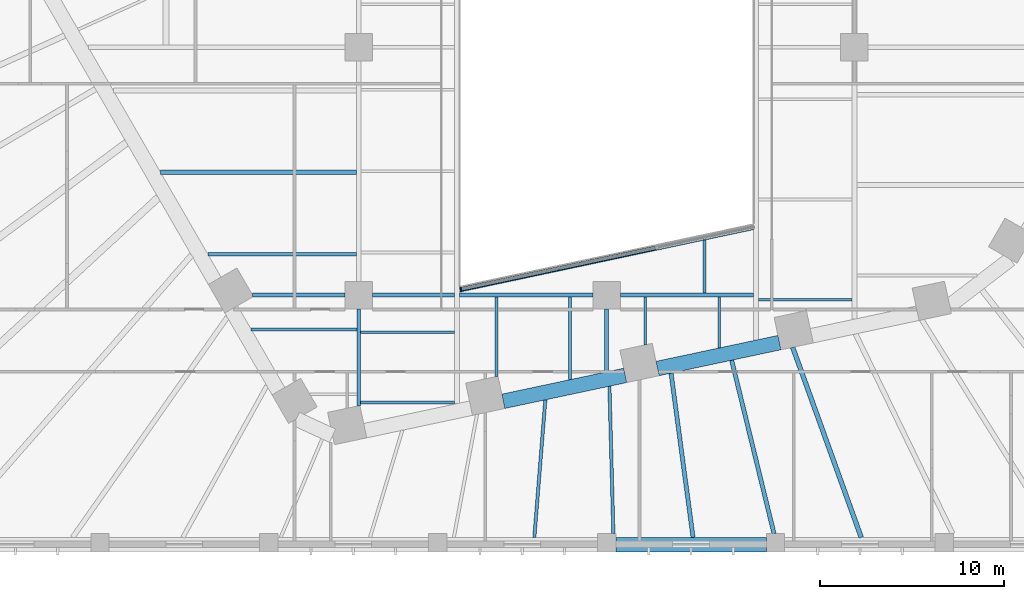
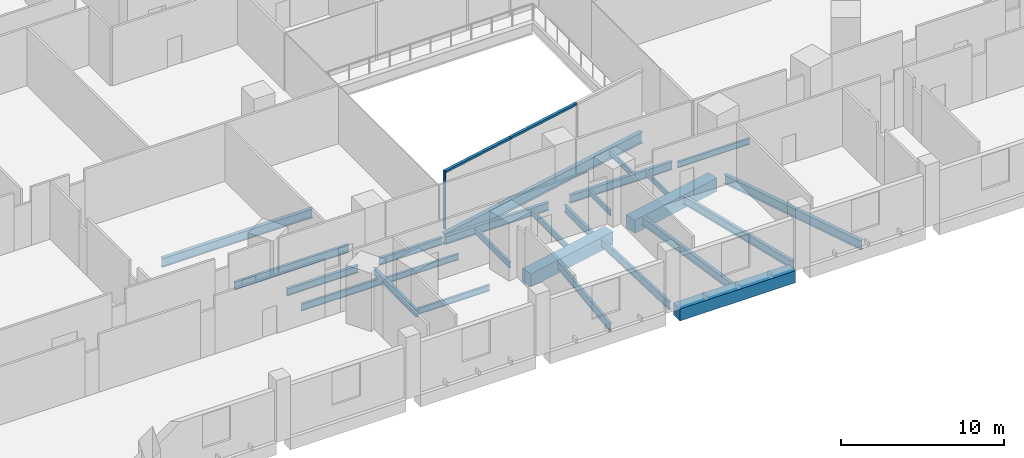
# One storey, part 2 of 33: 26 beams, 3 members, 1 element without a shape of its own.
"""IFC4 building model written with IfcOpenShell, lengths in metres."""

from ifc_helpers import new_model, si_unit, direction, frame, origin, origin_2d, place, context, subcontext, project, spatial, rectangle, i_section, extrude, material, layer, layer_set, material_profile, profile_set, type_object, element, aggregate, save


model = new_model("IFC4")

# Units and contexts
model_context = context("Model", 3, precision=1e-05, world=origin(), true_north=direction((0.0, 1.0)))
body_context = subcontext(model_context, "Body", "Model", "MODEL_VIEW")
ifc_project = project(units=[si_unit("LENGTHUNIT", "METRE"), si_unit("AREAUNIT", "SQUARE_METRE"), si_unit("VOLUMEUNIT", "CUBIC_METRE"), si_unit("PLANEANGLEUNIT", "RADIAN"), si_unit("MASSUNIT", "GRAM", prefix="KILO")], contexts=[model_context])

# Site, building, storey
site_placement = place(None, origin())
site = spatial("IfcSite", under=ifc_project, at=site_placement, CompositionType="ELEMENT")
building_placement = place(site_placement, origin())
building = spatial("IfcBuilding", under=site, at=building_placement, Name="Isthmus Gate Tower", CompositionType="ELEMENT")
storey_placement = place(building_placement, frame((0.0, 0.0, 31.5)))
storey = spatial("IfcBuildingStorey", under=building, at=storey_placement, Name="L05", CompositionType="ELEMENT", Elevation=31.5)

# Curtain wall, members
ifc_material_1 = material(Name="Aluminium, pale champagne anodised", Category="aluminium")
ifc_layer = layer(ifc_material_1, 0.199951171875)
ifc_layer_set = layer_set([ifc_layer], Name="CW-4 ATRIUM CURTAIN WALL 200 DEEP")
curtain_wall_type = type_object("IfcCurtainWallType", Name="CW-4 ATRIUM CURTAIN WALL 200 DEEP", PredefinedType="NOTDEFINED", material=ifc_layer_set)
curtain_wall_placement = place(storey_placement, origin())
curtain_wall = element("IfcCurtainWall", 1, at=curtain_wall_placement, inside=storey, type_object=curtain_wall_type, Name="CW-4 atrium south L05", PredefinedType="NOTDEFINED")
ifc_material_2 = material(Name="Aluminium, pale champagne anodised", Category="aluminium")
ifc_material_profile_1 = material_profile(ifc_material_2, rectangle(XDim=0.080078125, YDim=0.199951171875, at=origin_2d()), Name="80x200")
ifc_profile_set_1 = profile_set([ifc_material_profile_1], Name="Aluminium, pale champagne anodised")
member_type_1 = type_object("IfcMemberType", Name="CW-4 MULLION 80 X 200", PredefinedType="MULLION", material=ifc_profile_set_1)
member_1_placement = place(storey_placement, frame((-7.9296875, -26.682373046875, 0.0), z_axis=(0.0, 0.0, 1.0), x_axis=(0.978147600734, 0.207911690818, 0.0)))
member_1 = element("IfcMember", 2, at=member_1_placement, type_object=member_type_1, Name="CW-4 mullion", PredefinedType="MULLION", context=body_context, shape_type="SweptSolid", body=[
    extrude(rectangle(XDim=0.080078125, YDim=0.199951171875, at=origin_2d()), origin(), (0.0, 0.0, 1.0), 4.35009765625),
])
ifc_material_3 = material(Name="Aluminium, pale champagne anodised", Category="aluminium")
ifc_material_profile_2 = material_profile(ifc_material_3, rectangle(XDim=0.199951171875, YDim=0.14990234375, at=origin_2d()), Name="200x150")
ifc_profile_set_2 = profile_set([ifc_material_profile_2], Name="Aluminium, pale champagne anodised")
member_type_2 = type_object("IfcMemberType", Name="CW-4 TRANSOM 200 X 150", PredefinedType="USERDEFINED", material=ifc_profile_set_2)
member_2_placement = place(storey_placement, frame((-7.890625, -26.674072265625, 4.27490234375), z_axis=(0.978150188204, 0.207899517354, 0.0), x_axis=(-0.207899517354, 0.978150188204, 0.0)))
member_2 = element("IfcMember", 3, at=member_2_placement, type_object=member_type_2, Name="CW-4 transom", ObjectType="TRANSOM", PredefinedType="USERDEFINED", context=body_context, shape_type="SweptSolid", body=[
    extrude(rectangle(XDim=0.199951171875, YDim=0.14990234375, at=origin_2d()), origin(), (0.0, 0.0, 1.0), 5.37255859375),
])
member_3_placement = place(storey_placement, frame((-2.635498046875, -25.55712890625, 4.27490234375), z_axis=(0.978150315113, 0.207898920259, 0.0), x_axis=(-0.207898920259, 0.978150315113, 0.0)))
member_3 = element("IfcMember", 4, at=member_3_placement, type_object=member_type_2, Name="CW-4 transom", ObjectType="TRANSOM", PredefinedType="USERDEFINED", context=body_context, shape_type="SweptSolid", body=[
    extrude(rectangle(XDim=0.199951171875, YDim=0.14990234375, at=origin_2d()), origin(), (0.0, 0.0, 1.0), 5.452392578125),
])
aggregate(curtain_wall, [member_1, member_2, member_3])

# Beams
ifc_material_4 = material(Name="Concrete f'c 70 MPa", Category="concrete")
ifc_material_profile_3 = material_profile(ifc_material_4, rectangle(XDim=0.800048828125, YDim=0.89990234375, at=origin_2d()), Name="RC 800X900")
ifc_profile_set_3 = profile_set([ifc_material_profile_3], Name="Concrete f'c 70 MPa")
beam_type_1 = type_object("IfcBeamType", Name="RC EDGE BEAM 800 X 900", PredefinedType="BEAM", material=ifc_profile_set_3)
beam_1_placement = place(storey_placement, frame((8.699951171875, -40.60009765625, -0.75), z_axis=(-1.0, 0.0, 0.0), x_axis=(0.0, -1.0, 0.0)))
element("IfcBeam", 5, at=beam_1_placement, inside=storey, type_object=beam_type_1, Name="str-edgebeam-L05-32", PredefinedType="BEAM", context=body_context, shape_type="SweptSolid", body=[
    extrude(rectangle(XDim=0.800048828125, YDim=0.89990234375, at=origin_2d()), origin(), (0.0, 0.0, 1.0), 8.199951171875),
])
ifc_material_5 = material(Name="Concrete f'c 70 MPa", Category="concrete")
ifc_material_profile_4 = material_profile(ifc_material_5, rectangle(XDim=0.800048828125, YDim=1.0, at=origin_2d()), Name="RC 800X1000")
ifc_profile_set_4 = profile_set([ifc_material_profile_4], Name="Concrete f'c 70 MPa")
beam_type_2 = type_object("IfcBeamType", Name="RC TUBE RING BEAM 800 X 1000", PredefinedType="BEAM", material=ifc_profile_set_4)
for number, where, z_axis, x_axis, name in (
    (6, (9.415771484375, -29.589599609375, -0.800048828125), (-0.978145779981, -0.207920256603, 0.0), (0.207920256603, -0.978145779981, 0.0), "str-ringbeam-L05-11"),
    (7, (1.01416015625, -31.37548828125, -0.800048828125), (-0.978145779981, -0.207920256603, 0.0), (0.207920256603, -0.978145779981, 0.0), "str-ringbeam-L05-12"),
):
    element("IfcBeam", number, at=place(storey_placement, frame(where, z_axis=z_axis, x_axis=x_axis)), inside=storey, type_object=beam_type_2, Name=name, PredefinedType="BEAM", context=body_context, shape_type="SweptSolid", body=[
        extrude(rectangle(XDim=0.800048828125, YDim=1.0, at=origin_2d()), origin(), (0.0, 0.0, 1.0), 6.789306640625),
    ])
ifc_material_6 = material(Name="Structural steel ASTM A992 Gr 50", Category="steel")
ifc_material_profile_5 = material_profile(ifc_material_6, i_section(OverallWidth=0.1396484375, OverallDepth=0.4033203125, WebThickness=0.00634765625, FlangeThickness=0.010986328125, at=origin_2d()), Name="W16X31")
ifc_profile_set_5 = profile_set([ifc_material_profile_5], Name="Structural steel ASTM A992 Gr 50")
beam_type_3 = type_object("IfcBeamType", Name="STEEL FLOOR BEAM W16X31", PredefinedType="JOIST", material=ifc_profile_set_5)
beam_2_placement = place(storey_placement, frame((5.333251953125, -26.8857421875, -0.501708984375), z_axis=(0.0, 1.0, 0.0), x_axis=(-1.0, 0.0, 0.0)))
element("IfcBeam", 8, at=beam_2_placement, inside=storey, type_object=beam_type_3, Name="str-beam-L05-20-00", PredefinedType="JOIST", context=body_context, shape_type="SweptSolid", body=[
    extrude(i_section(OverallWidth=0.1396484375, OverallDepth=0.4033203125, WebThickness=0.00634765625, FlangeThickness=0.010986328125, at=origin_2d()), origin(), (0.0, 0.0, 1.0), 2.877197265625),
])
beam_3_placement = place(storey_placement, frame((2.111572265625, -29.7109375, -0.501708984375), z_axis=(0.0, 1.0, 0.0), x_axis=(-1.0, 0.0, 0.0)))
element("IfcBeam", 9, at=beam_3_placement, inside=storey, type_object=beam_type_3, Name="str-beam-L05-21-00", PredefinedType="JOIST", context=body_context, shape_type="SweptSolid", body=[
    extrude(i_section(OverallWidth=0.1396484375, OverallDepth=0.4033203125, WebThickness=0.00634765625, FlangeThickness=0.010986328125, at=origin_2d()), origin(), (0.0, 0.0, 1.0), 2.5966796875),
])
beam_4_placement = place(storey_placement, frame((6.125, -29.880126953125, -0.501708984375), z_axis=(0.0, 1.0, 0.0), x_axis=(-1.0, 0.0, 0.0)))
element("IfcBeam", 10, at=beam_4_placement, inside=storey, type_object=beam_type_3, Name="str-beam-L05-21-01", PredefinedType="JOIST", context=body_context, shape_type="SweptSolid", body=[
    extrude(i_section(OverallWidth=0.1396484375, OverallDepth=0.4033203125, WebThickness=0.00634765625, FlangeThickness=0.010986328125, at=origin_2d()), origin(), (0.0, 0.0, 1.0), 2.765869140625),
])
ifc_material_7 = material(Name="Structural steel ASTM A992 Gr 50", Category="steel")
ifc_material_profile_6 = material_profile(ifc_material_7, i_section(OverallWidth=0.15234375, OverallDepth=0.45068359375, WebThickness=0.0078125, FlangeThickness=0.010986328125, at=origin_2d()), Name="W18X35")
ifc_profile_set_6 = profile_set([ifc_material_profile_6], Name="Structural steel ASTM A992 Gr 50")
beam_type_4 = type_object("IfcBeamType", Name="STEEL FLOOR BEAM W18X35", PredefinedType="JOIST", material=ifc_profile_set_6)
for number, where, z_axis, x_axis, name in (
    (11, (-13.395263671875, -32.85888671875, -0.525390625), (1.0, 0.0, 0.0), (0.0, 1.0, 0.0), "str-beam-L05-12-00"),
    (12, (-13.395263671875, -29.022705078125, -0.525390625), (1.0, 0.0, 0.0), (0.0, 1.0, 0.0), "str-beam-L05-12-01"),
):
    element("IfcBeam", number, at=place(storey_placement, frame(where, z_axis=z_axis, x_axis=x_axis)), inside=storey, type_object=beam_type_4, Name=name, PredefinedType="JOIST", context=body_context, shape_type="SweptSolid", body=[
        extrude(i_section(OverallWidth=0.15234375, OverallDepth=0.45068359375, WebThickness=0.0078125, FlangeThickness=0.010986328125, at=origin_2d()), origin(), (0.0, 0.0, 1.0), 5.103271484375),
    ])
beam_5_placement = place(storey_placement, frame((-6.0, -31.43505859375, -0.525390625), z_axis=(0.0, 1.0, 0.0), x_axis=(-1.0, 0.0, 0.0)))
element("IfcBeam", 13, at=beam_5_placement, inside=storey, type_object=beam_type_4, Name="str-beam-L05-17-00", PredefinedType="JOIST", context=body_context, shape_type="SweptSolid", body=[
    extrude(i_section(OverallWidth=0.15234375, OverallDepth=0.45068359375, WebThickness=0.0078125, FlangeThickness=0.010986328125, at=origin_2d()), origin(), (0.0, 0.0, 1.0), 4.32080078125),
])
beam_6_placement = place(storey_placement, frame((-2.0, -31.607177734375, -0.525390625), z_axis=(0.0, 1.0, 0.0), x_axis=(-1.0, 0.0, 0.0)))
element("IfcBeam", 14, at=beam_6_placement, inside=storey, type_object=beam_type_4, Name="str-beam-L05-17-01", PredefinedType="JOIST", context=body_context, shape_type="SweptSolid", body=[
    extrude(i_section(OverallWidth=0.15234375, OverallDepth=0.45068359375, WebThickness=0.0078125, FlangeThickness=0.010986328125, at=origin_2d()), origin(), (0.0, 0.0, 1.0), 4.492919921875),
])
beam_7_placement = place(storey_placement, frame((8.263427734375, -27.25146484375, -0.525390625), z_axis=(1.0, 0.0, 0.0), x_axis=(0.0, 1.0, 0.0)))
element("IfcBeam", 15, at=beam_7_placement, inside=storey, type_object=beam_type_4, Name="str-beam-L05-25-00", PredefinedType="JOIST", context=body_context, shape_type="SweptSolid", body=[
    extrude(i_section(OverallWidth=0.15234375, OverallDepth=0.45068359375, WebThickness=0.0078125, FlangeThickness=0.010986328125, at=origin_2d()), origin(), (0.0, 0.0, 1.0), 5.103271484375),
])
ifc_material_8 = material(Name="Structural steel ASTM A992 Gr 50", Category="steel")
ifc_material_profile_7 = material_profile(ifc_material_8, i_section(OverallWidth=0.1650390625, OverallDepth=0.52392578125, WebThickness=0.009521484375, FlangeThickness=0.010986328125, at=origin_2d()), Name="W21X44")
ifc_profile_set_7 = profile_set([ifc_material_profile_7], Name="Structural steel ASTM A992 Gr 50")
beam_type_5 = type_object("IfcBeamType", Name="STEEL FLOOR BEAM W21X44", PredefinedType="JOIST", material=ifc_profile_set_7)
beam_8_placement = place(storey_placement, frame((-19.357421875, -28.871826171875, -0.56201171875), z_axis=(1.0, 0.0, 0.0), x_axis=(0.0, 1.0, 0.0)))
element("IfcBeam", 16, at=beam_8_placement, inside=storey, type_object=beam_type_5, Name="str-beam-L05-11-01", PredefinedType="JOIST", context=body_context, shape_type="SweptSolid", body=[
    extrude(i_section(OverallWidth=0.1650390625, OverallDepth=0.52392578125, WebThickness=0.009521484375, FlangeThickness=0.010986328125, at=origin_2d()), origin(), (0.0, 0.0, 1.0), 5.752685546875),
])
ifc_material_9 = material(Name="Structural steel ASTM A992 Gr 50", Category="steel")
ifc_material_profile_8 = material_profile(ifc_material_9, i_section(OverallWidth=0.177734375, OverallDepth=0.60009765625, WebThickness=0.009521484375, FlangeThickness=0.0126953125, at=origin_2d()), Name="W24X55")
ifc_profile_set_8 = profile_set([ifc_material_profile_8], Name="Structural steel ASTM A992 Gr 50")
beam_type_6 = type_object("IfcBeamType", Name="STEEL FLOOR BEAM W24X55", PredefinedType="JOIST", material=ifc_profile_set_8)
beam_9_placement = place(storey_placement, frame((-21.724365234375, -24.772216796875, -0.60009765625), z_axis=(1.0, 0.0, 0.0), x_axis=(0.0, 1.0, 0.0)))
element("IfcBeam", 17, at=beam_9_placement, inside=storey, type_object=beam_type_6, Name="str-beam-L05-07-00", PredefinedType="JOIST", context=body_context, shape_type="SweptSolid", body=[
    extrude(i_section(OverallWidth=0.177734375, OverallDepth=0.60009765625, WebThickness=0.009521484375, FlangeThickness=0.0126953125, at=origin_2d()), origin(), (0.0, 0.0, 1.0), 8.097412109375),
])
beam_10_placement = place(storey_placement, frame((-3.336669921875, -32.709228515625, -0.60009765625), z_axis=(-0.079791708098, -0.99681155858, 0.0), x_axis=(0.99681155858, -0.079791708098, 0.0)))
element("IfcBeam", 18, at=beam_10_placement, inside=storey, type_object=beam_type_6, Name="str-beam-L05-19-52", PredefinedType="JOIST", context=body_context, shape_type="SweptSolid", body=[
    extrude(i_section(OverallWidth=0.177734375, OverallDepth=0.60009765625, WebThickness=0.009521484375, FlangeThickness=0.0126953125, at=origin_2d()), origin(), (0.0, 0.0, 1.0), 7.5146484375),
])
beam_11_placement = place(storey_placement, frame((0.155029296875, -31.967041015625, -0.60009765625), z_axis=(0.0266142814, -0.999645777276, 0.0), x_axis=(0.999645777276, 0.0266142814, 0.0)))
element("IfcBeam", 19, at=beam_11_placement, inside=storey, type_object=beam_type_6, Name="str-beam-L05-19-53", PredefinedType="JOIST", context=body_context, shape_type="SweptSolid", body=[
    extrude(i_section(OverallWidth=0.177734375, OverallDepth=0.60009765625, WebThickness=0.009521484375, FlangeThickness=0.0126953125, at=origin_2d()), origin(), (0.0, 0.0, 1.0), 8.035888671875),
])
ifc_material_10 = material(Name="Structural steel ASTM A992 Gr 50", Category="steel")
ifc_material_profile_9 = material_profile(ifc_material_10, i_section(OverallWidth=0.228515625, OverallDepth=0.603271484375, WebThickness=0.010986328125, FlangeThickness=0.014404296875, at=origin_2d()), Name="W24X68")
ifc_profile_set_9 = profile_set([ifc_material_profile_9], Name="Structural steel ASTM A992 Gr 50")
beam_type_7 = type_object("IfcBeamType", Name="STEEL FLOOR BEAM W24X68", PredefinedType="JOIST", material=ifc_profile_set_9)
beam_12_placement = place(storey_placement, frame((3.511474609375, -31.253662109375, -0.6015625), z_axis=(0.132725332114, -0.991152857139, 0.0), x_axis=(0.991152857139, 0.132725332114, 0.0)))
element("IfcBeam", 20, at=beam_12_placement, inside=storey, type_object=beam_type_7, Name="str-beam-L05-19-54", PredefinedType="JOIST", context=body_context, shape_type="SweptSolid", body=[
    extrude(i_section(OverallWidth=0.228515625, OverallDepth=0.603271484375, WebThickness=0.010986328125, FlangeThickness=0.014404296875, at=origin_2d()), origin(), (0.0, 0.0, 1.0), 9.026123046875),
])
beam_13_placement = place(storey_placement, frame((6.8134765625, -30.5517578125, -0.6015625), z_axis=(0.237334657836, -0.971427949047, 0.0), x_axis=(0.971427949047, 0.237334657836, 0.0)))
element("IfcBeam", 21, at=beam_13_placement, inside=storey, type_object=beam_type_7, Name="str-beam-L05-19-55", PredefinedType="JOIST", context=body_context, shape_type="SweptSolid", body=[
    extrude(i_section(OverallWidth=0.228515625, OverallDepth=0.603271484375, WebThickness=0.010986328125, FlangeThickness=0.014404296875, at=origin_2d()), origin(), (0.0, 0.0, 1.0), 9.72607421875),
])
ifc_material_11 = material(Name="Structural steel ASTM A992 Gr 50", Category="steel")
ifc_material_profile_10 = material_profile(ifc_material_11, i_section(OverallWidth=0.25390625, OverallDepth=0.679443359375, WebThickness=0.010986328125, FlangeThickness=0.015869140625, at=origin_2d()), Name="W27X84")
ifc_profile_set_10 = profile_set([ifc_material_profile_10], Name="Structural steel ASTM A992 Gr 50")
beam_type_8 = type_object("IfcBeamType", Name="STEEL FLOOR BEAM W27X84", PredefinedType="JOIST", material=ifc_profile_set_10)
beam_14_placement = place(storey_placement, frame((-24.296875, -20.316650390625, -0.6396484375), z_axis=(1.0, 0.0, 0.0), x_axis=(0.0, 1.0, 0.0)))
element("IfcBeam", 22, at=beam_14_placement, inside=storey, type_object=beam_type_8, Name="str-beam-L05-07-01", PredefinedType="JOIST", context=body_context, shape_type="SweptSolid", body=[
    extrude(i_section(OverallWidth=0.25390625, OverallDepth=0.679443359375, WebThickness=0.010986328125, FlangeThickness=0.015869140625, at=origin_2d()), origin(), (0.0, 0.0, 1.0), 10.669921875),
])
beam_15_placement = place(storey_placement, frame((10.136962890625, -29.84521484375, -0.6396484375), z_axis=(0.339236206962, -0.940701225622, 0.0), x_axis=(0.940701225622, 0.339236206962, 0.0)))
element("IfcBeam", 23, at=beam_15_placement, inside=storey, type_object=beam_type_8, Name="str-beam-L05-19-56", PredefinedType="JOIST", context=body_context, shape_type="SweptSolid", body=[
    extrude(i_section(OverallWidth=0.25390625, OverallDepth=0.679443359375, WebThickness=0.010986328125, FlangeThickness=0.015869140625, at=origin_2d()), origin(), (0.0, 0.0, 1.0), 11.007568359375),
])
ifc_material_12 = material(Name="Structural steel ASTM A992 Gr 50", Category="steel")
ifc_material_profile_11 = material_profile(ifc_material_12, i_section(OverallWidth=0.20947265625, OverallDepth=0.533447265625, WebThickness=0.009521484375, FlangeThickness=0.015869140625, at=origin_2d()), Name="W21X62")
ifc_profile_set_11 = profile_set([ifc_material_profile_11], Name="Structural steel ASTM A992 Gr 50")
beam_type_9 = type_object("IfcBeamType", Name="STEEL GIRDER W21X62", PredefinedType="BEAM", material=ifc_profile_set_11)
beam_16_placement = place(storey_placement, frame((-19.283447265625, -27.0, -0.566650390625), z_axis=(1.0, 0.0, 0.0), x_axis=(0.0, 1.0, 0.0)))
element("IfcBeam", 24, at=beam_16_placement, inside=storey, type_object=beam_type_9, Name="str-girder-L05-01", PredefinedType="BEAM", context=body_context, shape_type="SweptSolid", body=[
    extrude(i_section(OverallWidth=0.20947265625, OverallDepth=0.533447265625, WebThickness=0.009521484375, FlangeThickness=0.015869140625, at=origin_2d()), origin(), (0.0, 0.0, 1.0), 5.033447265625),
])
beam_17_placement = place(storey_placement, frame((-12.75, -27.0, -0.566650390625), z_axis=(1.0, 0.0, 0.0), x_axis=(0.0, 1.0, 0.0)))
element("IfcBeam", 25, at=beam_17_placement, inside=storey, type_object=beam_type_9, Name="str-girder-L05-02", PredefinedType="BEAM", context=body_context, shape_type="SweptSolid", body=[
    extrude(i_section(OverallWidth=0.20947265625, OverallDepth=0.533447265625, WebThickness=0.009521484375, FlangeThickness=0.015869140625, at=origin_2d()), origin(), (0.0, 0.0, 1.0), 4.4580078125),
])
beam_18_placement = place(storey_placement, frame((-13.5, -33.029296875, -0.566650390625), z_axis=(0.0, 1.0, 0.0), x_axis=(-1.0, 0.0, 0.0)))
element("IfcBeam", 26, at=beam_18_placement, inside=storey, type_object=beam_type_9, Name="str-girder-L05-23", PredefinedType="BEAM", context=body_context, shape_type="SweptSolid", body=[
    extrude(i_section(OverallWidth=0.20947265625, OverallDepth=0.533447265625, WebThickness=0.009521484375, FlangeThickness=0.015869140625, at=origin_2d()), origin(), (0.0, 0.0, 1.0), 5.279296875),
])
beam_19_placement = place(storey_placement, frame((0.0, -31.18212890625, -0.566650390625), z_axis=(0.0, 1.0, 0.0), x_axis=(-1.0, 0.0, 0.0)))
element("IfcBeam", 27, at=beam_19_placement, inside=storey, type_object=beam_type_9, Name="str-girder-L05-28", PredefinedType="BEAM", context=body_context, shape_type="SweptSolid", body=[
    extrude(i_section(OverallWidth=0.20947265625, OverallDepth=0.533447265625, WebThickness=0.009521484375, FlangeThickness=0.015869140625, at=origin_2d()), origin(), (0.0, 0.0, 1.0), 3.43212890625),
])
ifc_material_13 = material(Name="Structural steel ASTM A992 Gr 50", Category="steel")
ifc_material_profile_12 = material_profile(ifc_material_13, i_section(OverallWidth=0.228515625, OverallDepth=0.603271484375, WebThickness=0.010986328125, FlangeThickness=0.014404296875, at=origin_2d()), Name="W24X68")
ifc_profile_set_12 = profile_set([ifc_material_profile_12], Name="Structural steel ASTM A992 Gr 50")
beam_type_10 = type_object("IfcBeamType", Name="STEEL GIRDER W24X68", PredefinedType="BEAM", material=ifc_profile_set_12)
for number, where, z_axis, x_axis, name in (
    (28, (-8.0, -27.0, -0.6015625), (1.0, 0.0, 0.0), (0.0, 1.0, 0.0), "str-girder-L05-03"),
    (29, (0.75, -27.0, -0.6015625), (1.0, 0.0, 0.0), (0.0, 1.0, 0.0), "str-girder-L05-04"),
):
    element("IfcBeam", number, at=place(storey_placement, frame(where, z_axis=z_axis, x_axis=x_axis)), inside=storey, type_object=beam_type_10, Name=name, PredefinedType="BEAM", context=body_context, shape_type="SweptSolid", body=[
        extrude(i_section(OverallWidth=0.228515625, OverallDepth=0.603271484375, WebThickness=0.010986328125, FlangeThickness=0.014404296875, at=origin_2d()), origin(), (0.0, 0.0, 1.0), 7.25),
    ])
ifc_material_14 = material(Name="Structural steel ASTM A992 Gr 50", Category="steel")
ifc_material_profile_13 = material_profile(ifc_material_14, i_section(OverallWidth=0.2919921875, OverallDepth=0.8349609375, WebThickness=0.014404296875, FlangeThickness=0.01904296875, at=origin_2d()), Name="W33X118")
ifc_profile_set_13 = profile_set([ifc_material_profile_13], Name="Structural steel ASTM A992 Gr 50")
beam_type_11 = type_object("IfcBeamType", Name="STEEL TRIMMER W33X118", PredefinedType="BEAM", material=ifc_profile_set_13)
beam_20_placement = place(storey_placement, frame((-8.0, -26.693359375, -0.717529296875), z_axis=(0.978147924985, 0.20791016533, 0.0), x_axis=(-0.20791016533, 0.978147924985, 0.0)))
element("IfcBeam", 30, at=beam_20_placement, inside=storey, type_object=beam_type_11, Name="str-trimmer-L05-11", PredefinedType="BEAM", context=body_context, shape_type="SweptSolid", body=[
    extrude(i_section(OverallWidth=0.2919921875, OverallDepth=0.8349609375, WebThickness=0.014404296875, FlangeThickness=0.01904296875, at=origin_2d()), origin(), (0.0, 0.0, 1.0), 16.357421875),
])

save(model, "model.ifc")
